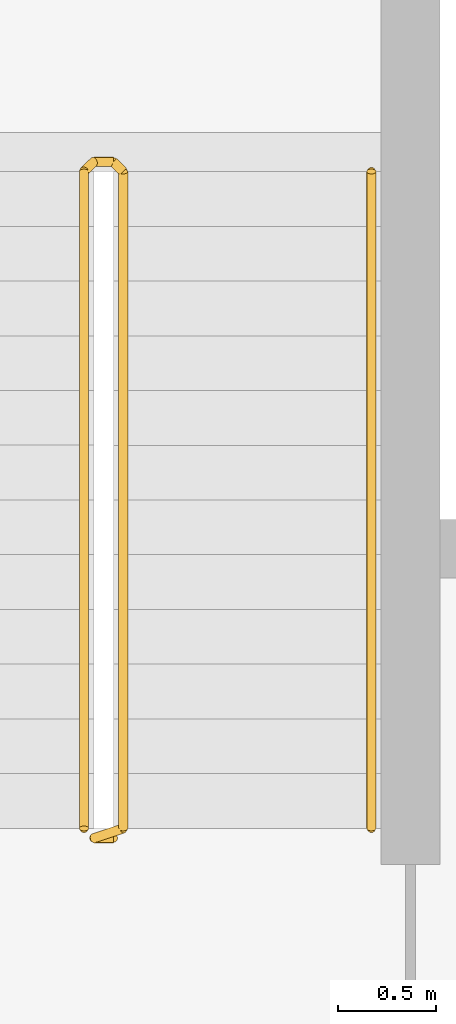
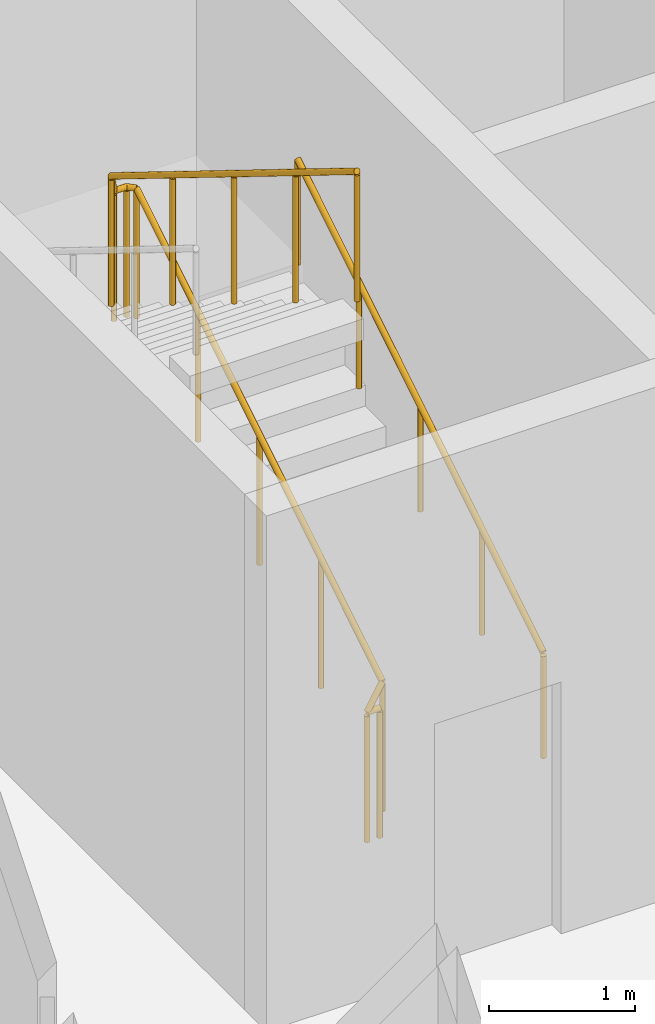
# One storey, part 7 of 9: 2 railings.
"""IFC4 building model written with IfcOpenShell, lengths in metres."""

from ifc_helpers import new_model, si_unit, direction, frame, origin, origin_2d, place, context, subcontext, project, spatial, circle, extrude, material, type_object, element, save


model = new_model("IFC4")

# Units and contexts
model_context = context("Model", 3, precision=1e-05, world=origin(), true_north=direction((0.0, 1.0)))
body_context = subcontext(model_context, "Body", "Model", "MODEL_VIEW")
ifc_project = project(units=[si_unit("LENGTHUNIT", "METRE"), si_unit("AREAUNIT", "SQUARE_METRE"), si_unit("VOLUMEUNIT", "CUBIC_METRE"), si_unit("PLANEANGLEUNIT", "RADIAN"), si_unit("MASSUNIT", "GRAM", prefix="KILO")], contexts=[model_context])

# Site, building, storey
site_placement = place(None, origin())
site = spatial("IfcSite", under=ifc_project, at=site_placement, CompositionType="ELEMENT")
building_placement = place(site_placement, origin())
building = spatial("IfcBuilding", under=site, at=building_placement, Name="Firuza Gate Tower and Library", CompositionType="ELEMENT")
storey_placement = place(building_placement, frame((0.0, 0.0, 252.10009765625)))
storey = spatial("IfcBuildingStorey", under=building, at=storey_placement, Name="L59", CompositionType="ELEMENT", Elevation=252.10009765625)

# Railings
ifc_material_1 = material(Name="Steel S355", Category="steel")
railing_type_1 = type_object("IfcRailingType", Name="Stair guard 1100", PredefinedType="GUARDRAIL", material=ifc_material_1)
railing_1_placement = place(storey_placement, frame((73.6298828125, 89.419921875, 0.0)))
element("IfcRailing", 1, at=railing_1_placement, inside=storey, type_object=railing_type_1, Name="L59 ST3 stair guard 1", PredefinedType="GUARDRAIL", context=body_context, shape_type="SweptSolid", body=[
    extrude(circle(Radius=0.02392578125, at=origin_2d()), frame((0.0, 0.0, 1.076171875), z_axis=(-1.0, 0.0, 0.0), x_axis=(0.0, -1.0, 0.0)), (0.0, 0.0, 1.0), 0.099853515625),
    extrude(circle(Radius=0.02392578125, at=origin_2d()), frame((-0.099853515625, 0.0, 1.076171875), z_axis=(0.639547942662, 0.213529850563, 0.73850080024), x_axis=(-0.316691178788, 0.948528701346, 0.0)), (0.0, 0.0, 1.0), 0.234375),
    extrude(circle(Radius=0.02392578125, at=origin_2d()), frame((0.050048828125, 0.050048828125, 1.2490234375), z_axis=(0.0, 0.850623216509, 0.525775754039), x_axis=(-1.0, 0.0, 0.0)), (0.0, 0.0, 1.0), 3.9501953125),
    extrude(circle(Radius=0.02392578125, at=origin_2d()), frame((0.050048828125, 3.41015625, 3.326171875), z_axis=(-0.708833529934, 0.705375805398, 0.0), x_axis=(-0.705375805398, -0.708833529934, 0.0)), (0.0, 0.0, 1.0), 0.070556640625),
    extrude(circle(Radius=0.02392578125, at=origin_2d()), frame((0.0, 3.4599609375, 3.326171875), z_axis=(-1.0, 0.0, 0.0), x_axis=(0.0, -1.0, 0.0)), (0.0, 0.0, 1.0), 0.099853515625),
    extrude(circle(Radius=0.02392578125, at=origin_2d()), frame((-0.099853515625, 3.4599609375, 3.326171875), z_axis=(-0.267723051232, -0.266417085129, 0.925929967433), x_axis=(0.705375805398, -0.708833529934, 0.0)), (0.0, 0.0, 1.0), 0.18701171875),
    extrude(circle(Radius=0.02392578125, at=origin_2d()), frame((-0.14990234375, 3.41015625, 3.4990234375), z_axis=(0.0, -0.850623216509, 0.525775754039), x_axis=(1.0, 0.0, 0.0)), (0.0, 0.0, 1.0), 3.9501953125),
    extrude(circle(Radius=0.02099609375, at=origin_2d()), origin(), (0.0, 0.0, 1.0), 1.052001953125),
    extrude(circle(Radius=0.02099609375, at=origin_2d()), frame((-0.099853515625, 0.0, 0.0)), (0.0, 0.0, 1.0), 1.052001953125),
    extrude(circle(Radius=0.02099609375, at=origin_2d()), frame((0.050048828125, 0.050048828125, 0.173095703125)), (0.0, 0.0, 1.0), 1.052001953125),
    extrude(circle(Radius=0.02099609375, at=origin_2d()), frame((0.050048828125, 0.89013671875, 0.6923828125)), (0.0, 0.0, 1.0), 1.052001953125),
    extrude(circle(Radius=0.02099609375, at=origin_2d()), frame((0.050048828125, 1.72998046875, 1.21142578125)), (0.0, 0.0, 1.0), 1.052001953125),
    extrude(circle(Radius=0.02099609375, at=origin_2d()), frame((0.050048828125, 2.570068359375, 1.730712890625)), (0.0, 0.0, 1.0), 1.052001953125),
    extrude(circle(Radius=0.02099609375, at=origin_2d()), frame((0.050048828125, 3.41015625, 2.25)), (0.0, 0.0, 1.0), 1.052001953125),
    extrude(circle(Radius=0.02099609375, at=origin_2d()), frame((0.0, 3.4599609375, 2.25)), (0.0, 0.0, 1.0), 1.052001953125),
    extrude(circle(Radius=0.02099609375, at=origin_2d()), frame((-0.099853515625, 3.4599609375, 2.25)), (0.0, 0.0, 1.0), 1.052001953125),
    extrude(circle(Radius=0.02099609375, at=origin_2d()), frame((-0.14990234375, 3.41015625, 2.423095703125)), (0.0, 0.0, 1.0), 1.052001953125),
    extrude(circle(Radius=0.02099609375, at=origin_2d()), frame((-0.14990234375, 2.570068359375, 2.9423828125)), (0.0, 0.0, 1.0), 1.052001953125),
    extrude(circle(Radius=0.02099609375, at=origin_2d()), frame((-0.14990234375, 1.72998046875, 3.46142578125)), (0.0, 0.0, 1.0), 1.052001953125),
    extrude(circle(Radius=0.02099609375, at=origin_2d()), frame((-0.14990234375, 0.89013671875, 3.980712890625)), (0.0, 0.0, 1.0), 1.052001953125),
    extrude(circle(Radius=0.02099609375, at=origin_2d()), frame((-0.14990234375, 0.050048828125, 4.5)), (0.0, 0.0, 1.0), 1.052001953125),
])
ifc_material_2 = material(Name="Steel S355", Category="steel")
railing_type_2 = type_object("IfcRailingType", Name="Stair handrail 900", PredefinedType="HANDRAIL", material=ifc_material_2)
railing_2_placement = place(storey_placement, frame((74.949951171875, 89.469970703125, 0.173095703125)))
element("IfcRailing", 2, at=railing_2_placement, inside=storey, type_object=railing_type_2, Name="L59 ST3 stair handrail 1", PredefinedType="HANDRAIL", context=body_context, shape_type="SweptSolid", body=[
    extrude(circle(Radius=0.02392578125, at=origin_2d()), frame((0.0, 0.0, 0.8759765625), z_axis=(0.0, 0.850623216509, 0.525775754039), x_axis=(-1.0, 0.0, 0.0)), (0.0, 0.0, 1.0), 3.9501953125),
    extrude(circle(Radius=0.02099609375, at=origin_2d()), origin(), (0.0, 0.0, 1.0), 0.851806640625),
    extrude(circle(Radius=0.02099609375, at=origin_2d()), frame((0.0, 0.840087890625, 0.519287109375)), (0.0, 0.0, 1.0), 0.851806640625),
    extrude(circle(Radius=0.02099609375, at=origin_2d()), frame((0.0, 1.68017578125, 1.03857421875)), (0.0, 0.0, 1.0), 0.851806640625),
    extrude(circle(Radius=0.02099609375, at=origin_2d()), frame((0.0, 2.52001953125, 1.5576171875)), (0.0, 0.0, 1.0), 0.851806640625),
    extrude(circle(Radius=0.02099609375, at=origin_2d()), frame((0.0, 3.360107421875, 2.076904296875)), (0.0, 0.0, 1.0), 0.851806640625),
])

save(model, "model.ifc")
